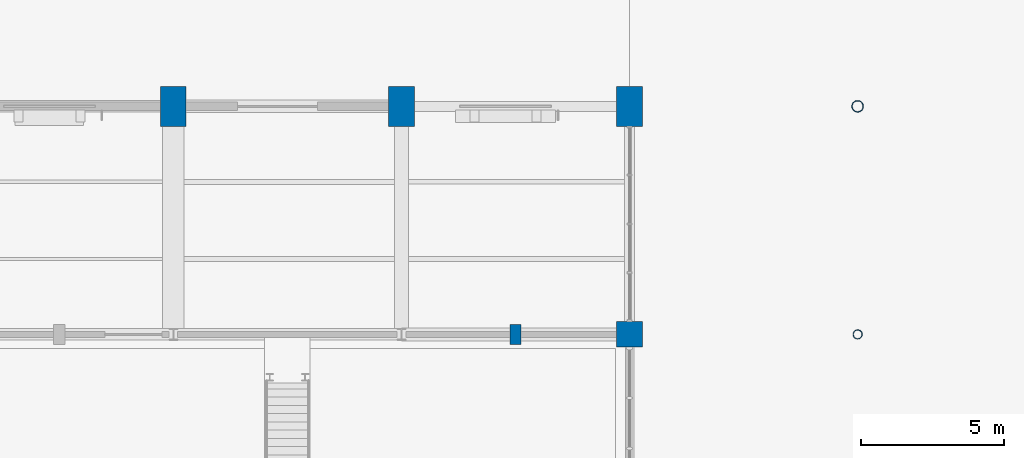
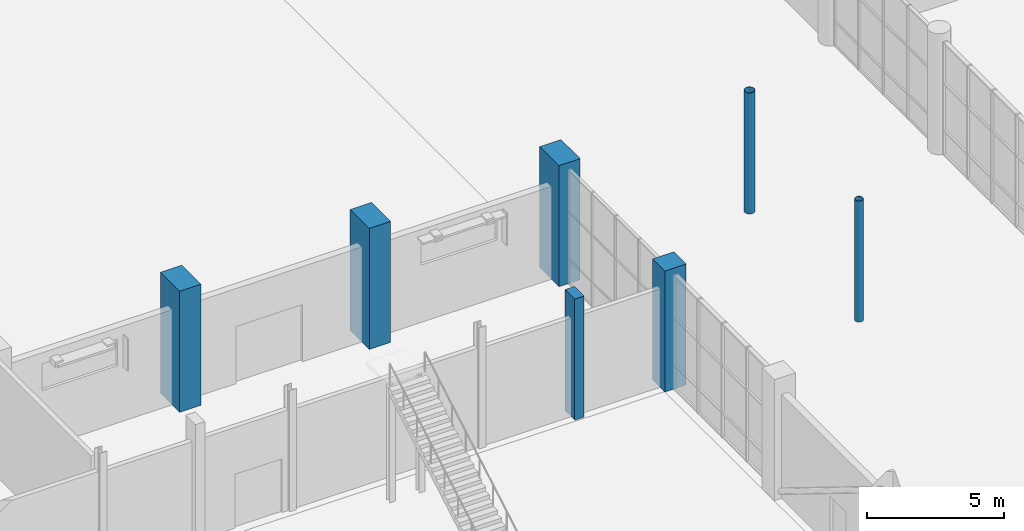
# One storey, part 6 of 123: 7 columns.
"""IFC4 building model written with IfcOpenShell, lengths in metres."""

from ifc_helpers import new_model, si_unit, direction, frame, origin, origin_2d, place, context, subcontext, project, spatial, rectangle, hollow_circle, extrude, material, material_profile, profile_set, type_object, element, save


model = new_model("IFC4")

# Units and contexts
model_context = context("Model", 3, precision=1e-05, world=origin(), true_north=direction((0.0, 1.0)))
body_context = subcontext(model_context, "Body", "Model", "MODEL_VIEW")
ifc_project = project(units=[si_unit("LENGTHUNIT", "METRE"), si_unit("AREAUNIT", "SQUARE_METRE"), si_unit("VOLUMEUNIT", "CUBIC_METRE"), si_unit("PLANEANGLEUNIT", "RADIAN"), si_unit("MASSUNIT", "GRAM", prefix="KILO")], contexts=[model_context])

# Site, building, storey
site_placement = place(None, origin())
site = spatial("IfcSite", under=ifc_project, at=site_placement, CompositionType="ELEMENT")
building_placement = place(site_placement, origin())
building = spatial("IfcBuilding", under=site, at=building_placement, Name="Tenunan Teduh Sports Hall", CompositionType="ELEMENT")
storey_placement = place(building_placement, origin())
storey = spatial("IfcBuildingStorey", under=building, at=storey_placement, Name="L00", CompositionType="ELEMENT", Elevation=0.0)

# Columns
ifc_material_1 = material(Name="Concrete C40/50", Category="concrete")
ifc_material_profile_1 = material_profile(ifc_material_1, rectangle(XDim=0.89990234375, YDim=0.89990234375, at=origin_2d()), Name="RC 900x900")
ifc_profile_set_1 = profile_set([ifc_material_profile_1], Name="Concrete C40/50")
column_type_1 = type_object("IfcColumnType", Name="COL-RC-900", PredefinedType="COLUMN", material=ifc_profile_set_1)
column_1_placement = place(storey_placement, frame((54.0, 38.0, 0.0), z_axis=(0.0, 0.0, 1.0), x_axis=(1.0, 0.0, 0.0)))
element("IfcColumn", 1, at=column_1_placement, inside=storey, type_object=column_type_1, Name="COL-C-03-L00-075", PredefinedType="COLUMN", context=body_context, shape_type="SweptSolid", body=[
    extrude(rectangle(XDim=0.89990234375, YDim=0.89990234375, at=origin_2d()), origin(), (0.0, 0.0, 1.0), 5.39990234375),
])
ifc_material_2 = material(Name="Concrete C40/50", Category="concrete")
ifc_material_profile_2 = material_profile(ifc_material_2, rectangle(XDim=0.89990234375, YDim=1.39990234375, at=origin_2d()), Name="RC 900x1400")
ifc_profile_set_2 = profile_set([ifc_material_profile_2], Name="Concrete C40/50")
column_type_2 = type_object("IfcColumnType", Name="COL-RC-900x1400", PredefinedType="COLUMN", material=ifc_profile_set_2)
for number, where, z_axis, x_axis, name in (
    (2, (38.0, 46.0, 0.0), (0.0, 0.0, 1.0), (1.0, 0.0, 0.0), "COL-C-13-L00-054"),
    (3, (46.0, 46.0, 0.0), (0.0, 0.0, 1.0), (1.0, 0.0, 0.0), "COL-C-13-L00-064"),
    (4, (54.0, 46.0, 0.0), (0.0, 0.0, 1.0), (1.0, 0.0, 0.0), "COL-C-13-L00-076"),
):
    element("IfcColumn", number, at=place(storey_placement, frame(where, z_axis=z_axis, x_axis=x_axis)), inside=storey, type_object=column_type_2, Name=name, PredefinedType="COLUMN", context=body_context, shape_type="SweptSolid", body=[
        extrude(rectangle(XDim=0.89990234375, YDim=1.39990234375, at=origin_2d()), origin(), (0.0, 0.0, 1.0), 5.39990234375),
    ])
ifc_material_3 = material(Name="Steel S355", Category="steel")
ifc_material_profile_3 = material_profile(ifc_material_3, hollow_circle(Radius=0.161865234375, WallThickness=0.012451171875, at=origin_2d()), Name="CHS 323.9x12.5")
ifc_profile_set_3 = profile_set([ifc_material_profile_3], Name="Steel S355")
column_type_3 = type_object("IfcColumnType", Name="COL-ST-CHS324", PredefinedType="COLUMN", material=ifc_profile_set_3)
column_2_placement = place(storey_placement, frame((62.0, 38.0, 0.0), z_axis=(0.0, 0.0, 1.0), x_axis=(1.0, 0.0, 0.0)))
element("IfcColumn", 5, at=column_2_placement, inside=storey, type_object=column_type_3, Name="COL-SC-06-L00-087", PredefinedType="COLUMN", context=body_context, shape_type="SweptSolid", body=[
    extrude(hollow_circle(Radius=0.161865234375, WallThickness=0.012451171875, at=origin_2d()), origin(), (0.0, 0.0, 1.0), 5.39990234375),
])
ifc_material_4 = material(Name="Steel S355", Category="steel")
ifc_material_profile_4 = material_profile(ifc_material_4, hollow_circle(Radius=0.203125, WallThickness=0.01611328125, at=origin_2d()), Name="CHS 406.4x16.0")
ifc_profile_set_4 = profile_set([ifc_material_profile_4], Name="Steel S355")
column_type_4 = type_object("IfcColumnType", Name="COL-ST-CHS406", PredefinedType="COLUMN", material=ifc_profile_set_4)
column_3_placement = place(storey_placement, frame((62.0, 46.0, 0.0), z_axis=(0.0, 0.0, 1.0), x_axis=(1.0, 0.0, 0.0)))
element("IfcColumn", 6, at=column_3_placement, inside=storey, type_object=column_type_4, Name="COL-SC-05-L00-088", PredefinedType="COLUMN", context=body_context, shape_type="SweptSolid", body=[
    extrude(hollow_circle(Radius=0.203125, WallThickness=0.01611328125, at=origin_2d()), origin(), (0.0, 0.0, 1.0), 5.39990234375),
])
ifc_material_5 = material(Name="Concrete C40/50", Category="concrete")
ifc_material_profile_5 = material_profile(ifc_material_5, rectangle(XDim=0.39990234375, YDim=0.699951171875, at=origin_2d()), Name="PIL 400x700")
ifc_profile_set_5 = profile_set([ifc_material_profile_5], Name="Concrete C40/50")
column_type_5 = type_object("IfcColumnType", Name="PIL-400x700", PredefinedType="PILASTER", material=ifc_profile_set_5)
column_4_placement = place(storey_placement, frame((50.0, 38.0, 0.0), z_axis=(0.0, 0.0, 1.0), x_axis=(1.0, 0.0, 0.0)))
element("IfcColumn", 7, at=column_4_placement, inside=storey, type_object=column_type_5, Name="PIL-PL-C2-L00-03", PredefinedType="PILASTER", context=body_context, shape_type="SweptSolid", body=[
    extrude(rectangle(XDim=0.39990234375, YDim=0.699951171875, at=origin_2d()), origin(), (0.0, 0.0, 1.0), 5.39990234375),
])

save(model, "model.ifc")
